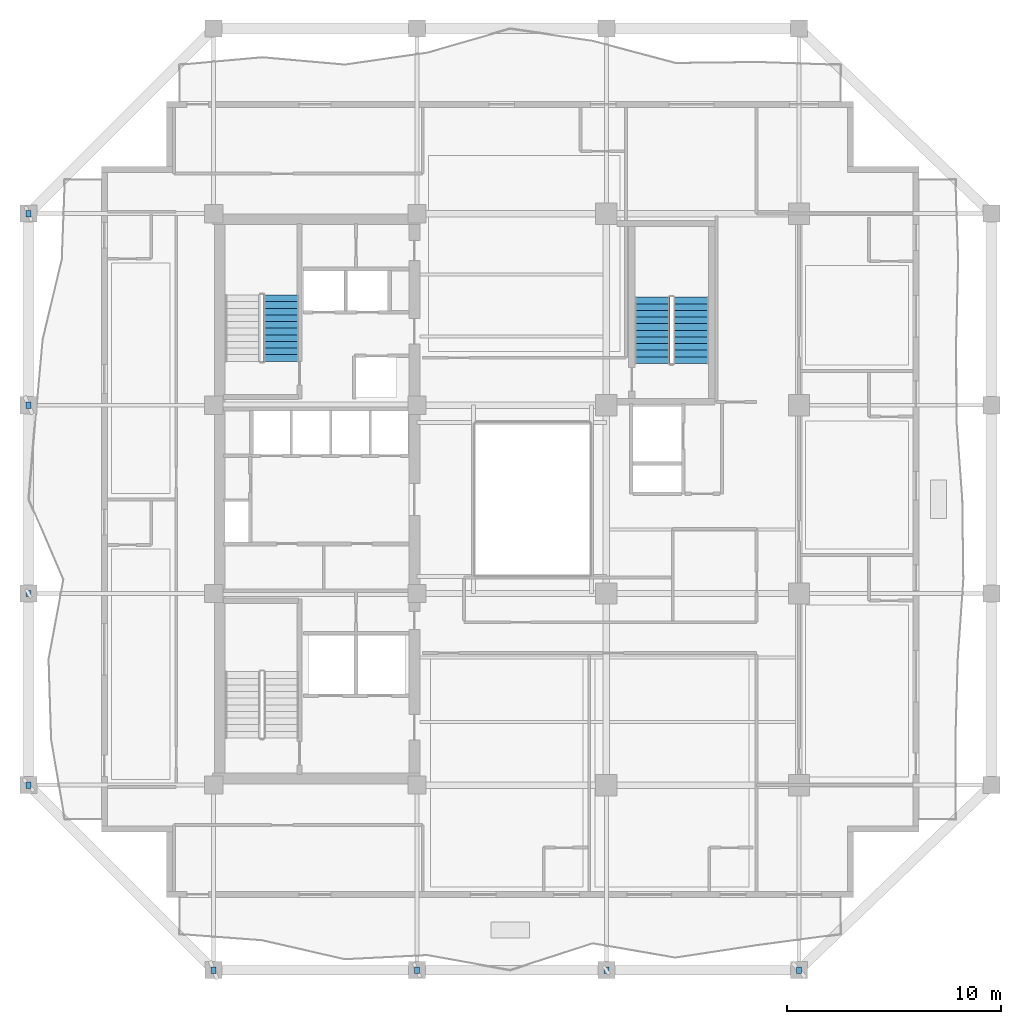
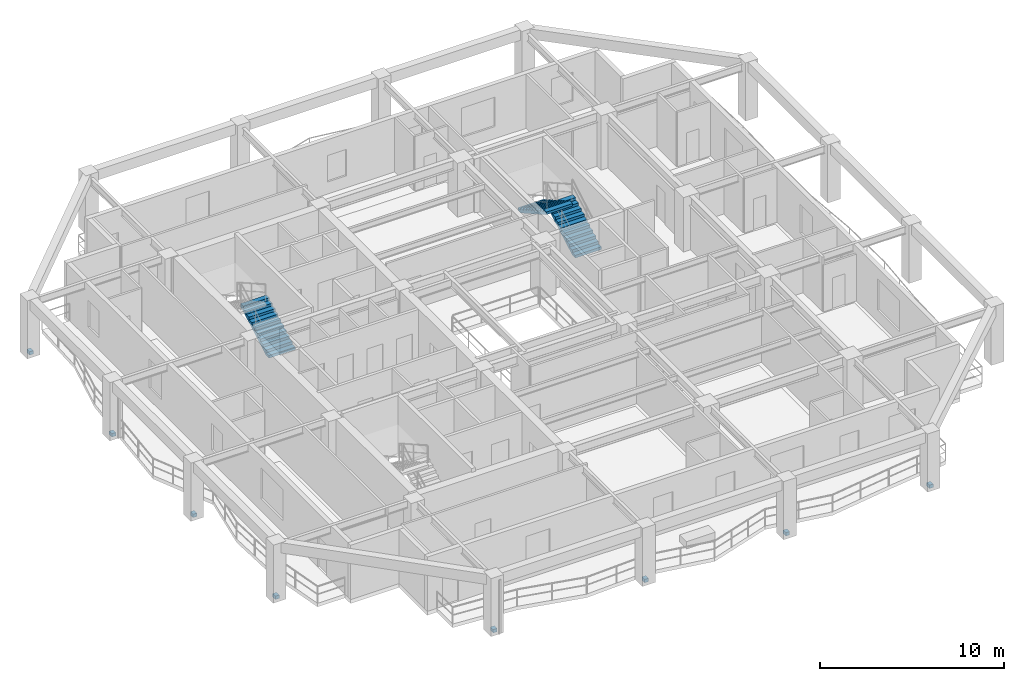
# One storey, part 7 of 11: 8 discrete accessories, 3 stair flights, 2 elements without a shape of their own.
"""IFC4 building model written with IfcOpenShell, lengths in metres."""

from ifc_helpers import new_model, si_unit, direction, frame, origin, origin_2d, place, context, subcontext, project, spatial, polyline, rectangle, outline, extrude, material, type_object, element, aggregate, save


model = new_model("IFC4")

# Units and contexts
model_context = context("Model", 3, precision=1e-05, world=origin(), true_north=direction((0.0, 1.0)))
body_context = subcontext(model_context, "Body", "Model", "MODEL_VIEW")
ifc_project = project(units=[si_unit("LENGTHUNIT", "METRE"), si_unit("AREAUNIT", "SQUARE_METRE"), si_unit("VOLUMEUNIT", "CUBIC_METRE"), si_unit("PLANEANGLEUNIT", "RADIAN"), si_unit("MASSUNIT", "GRAM", prefix="KILO")], contexts=[model_context])

# Site, building, storey
site_placement = place(None, origin())
site = spatial("IfcSite", under=ifc_project, at=site_placement, CompositionType="ELEMENT")
building_placement = place(site_placement, origin())
building = spatial("IfcBuilding", under=site, at=building_placement, Name="Kundavana Baori Tower", CompositionType="ELEMENT")
storey_placement = place(building_placement, frame((0.0, 0.0, 119.39990234375)))
storey = spatial("IfcBuildingStorey", under=building, at=storey_placement, Name="L28", CompositionType="ELEMENT", Elevation=119.39990234375)

# Stair, stair flight
ifc_material_1 = material(Name="Concrete C40/50", Category="concrete")
stair_type = type_object("IfcStairType", Name="STR-DOG-1650", PredefinedType="HALF_TURN_STAIR", material=ifc_material_1)
stair_1_placement = place(storey_placement, origin())
stair_1 = element("IfcStair", 1, at=stair_1_placement, inside=storey, type_object=stair_type, Name="L28 Protected Exit Stair ST2", PredefinedType="HALF_TURN_STAIR")
ifc_material_2 = material(Name="Concrete C40/50", Category="concrete")
stair_flight_type = type_object("IfcStairFlightType", Name="SFL-RC-1650", PredefinedType="STRAIGHT", material=ifc_material_2)
stair_flight_1_placement = place(storey_placement, frame((18.614990234375, 35.050048828125, 0.0), z_axis=(0.0, 0.0, 1.0), x_axis=(0.0, 1.0, 0.0)))
stair_flight_1 = element("IfcStairFlight", 2, at=stair_flight_1_placement, type_object=stair_flight_type, Name="ST2 flight 1", NumberOfRisers=11, NumberOfTreads=10, PredefinedType="STRAIGHT", RiserHeight=0.175, TreadLength=0.31, context=body_context, shape_type="SweptSolid", body=[
    extrude(outline(polyline([(0.0, 0.0), (0.0, 0.175048828125), (0.31005859375, 0.175048828125), (0.31005859375, 0.35009765625), (0.6201171875, 0.35009765625), (0.6201171875, 0.52490234375), (0.929931640625, 0.52490234375), (0.929931640625, 0.699951171875), (1.239990234375, 0.699951171875), (1.239990234375, 0.875), (1.550048828125, 0.875), (1.550048828125, 1.050048828125), (1.860107421875, 1.050048828125), (1.860107421875, 1.22509765625), (2.169921875, 1.22509765625), (2.169921875, 1.39990234375), (2.47998046875, 1.39990234375), (2.47998046875, 1.574951171875), (2.7900390625, 1.574951171875), (2.7900390625, 1.75), (3.10009765625, 1.75), (3.10009765625, 1.925048828125), (3.10009765625, 1.577880859375), (0.304931640625, 0.0), (0.0, 0.0)])), frame((0.0, 0.824951171875, 0.0), z_axis=(0.0, -1.0, 0.0), x_axis=(1.0, 0.0, 0.0)), (0.0, 0.0, 1.0), 1.64990234375),
])
aggregate(stair_1, [stair_flight_1])

# Stair, stair flights
stair_2_placement = place(storey_placement, origin())
stair_2 = element("IfcStair", 3, at=stair_2_placement, inside=storey, type_object=stair_type, Name="L28 Protected Exit Stair ST3", PredefinedType="HALF_TURN_STAIR")
stair_flight_2_placement = place(storey_placement, frame((37.7548828125, 34.949951171875, 0.0), z_axis=(0.0, 0.0, 1.0), x_axis=(0.0, 1.0, 0.0)))
stair_flight_2 = element("IfcStairFlight", 4, at=stair_flight_2_placement, type_object=stair_flight_type, Name="ST3 flight 1", NumberOfRisers=11, NumberOfTreads=10, PredefinedType="STRAIGHT", RiserHeight=0.175, TreadLength=0.31, context=body_context, shape_type="SweptSolid", body=[
    extrude(outline(polyline([(0.0, 0.0), (0.0, 0.175048828125), (0.31005859375, 0.175048828125), (0.31005859375, 0.35009765625), (0.6201171875, 0.35009765625), (0.6201171875, 0.52490234375), (0.929931640625, 0.52490234375), (0.929931640625, 0.699951171875), (1.239990234375, 0.699951171875), (1.239990234375, 0.875), (1.550048828125, 0.875), (1.550048828125, 1.050048828125), (1.860107421875, 1.050048828125), (1.860107421875, 1.22509765625), (2.169921875, 1.22509765625), (2.169921875, 1.39990234375), (2.47998046875, 1.39990234375), (2.47998046875, 1.574951171875), (2.7900390625, 1.574951171875), (2.7900390625, 1.75), (3.10009765625, 1.75), (3.10009765625, 1.925048828125), (3.10009765625, 1.577880859375), (0.304931640625, 0.0), (0.0, 0.0)])), frame((0.0, 0.824951171875, 0.0), z_axis=(0.0, -1.0, 0.0), x_axis=(1.0, 0.0, 0.0)), (0.0, 0.0, 1.0), 1.64990234375),
])
stair_flight_3_placement = place(storey_placement, frame((35.945068359375, 38.050048828125, 1.925048828125), z_axis=(0.0, 0.0, 1.0), x_axis=(0.0, -1.0, 0.0)))
stair_flight_3 = element("IfcStairFlight", 5, at=stair_flight_3_placement, type_object=stair_flight_type, Name="ST3 flight 2", NumberOfRisers=11, NumberOfTreads=10, PredefinedType="STRAIGHT", RiserHeight=0.175, TreadLength=0.31, context=body_context, shape_type="SweptSolid", body=[
    extrude(outline(polyline([(0.0, 0.0), (0.0, 0.175048828125), (0.31005859375, 0.175048828125), (0.31005859375, 0.35009765625), (0.6201171875, 0.35009765625), (0.6201171875, 0.52490234375), (0.929931640625, 0.52490234375), (0.929931640625, 0.699951171875), (1.239990234375, 0.699951171875), (1.239990234375, 0.875), (1.550048828125, 0.875), (1.550048828125, 1.050048828125), (1.860107421875, 1.050048828125), (1.860107421875, 1.22509765625), (2.169921875, 1.22509765625), (2.169921875, 1.39990234375), (2.47998046875, 1.39990234375), (2.47998046875, 1.574951171875), (2.7900390625, 1.574951171875), (2.7900390625, 1.75), (3.10009765625, 1.75), (3.10009765625, 1.925048828125), (3.10009765625, 1.577880859375), (0.304931640625, 0.0), (0.0, 0.0)])), frame((0.0, 0.824951171875, 0.0), z_axis=(0.0, -1.0, 0.0), x_axis=(1.0, 0.0, 0.0)), (0.0, 0.0, 1.0), 1.64990234375),
])
aggregate(stair_2, [stair_flight_2, stair_flight_3])

# Discrete accessories
ifc_material_3 = material(Name="Structural Steel S355JR", Category="steel")
discrete_accessory_type = type_object("IfcDiscreteAccessoryType", Name="ACC-BRK-FIN", PredefinedType="BRACKET", material=ifc_material_3)
for number, where, z_axis, x_axis, name in (
    (6, (15.449951171875, 6.60009765625, 0.0), (0.0, 0.0, 1.0), (1.0, 0.0, 0.0), "L28 Stainless Fin Anchor Bracket 1"),
    (7, (24.949951171875, 6.60009765625, 0.0), (0.0, 0.0, 1.0), (1.0, 0.0, 0.0), "L28 Stainless Fin Anchor Bracket 2"),
    (8, (33.800048828125, 6.60009765625, 0.0), (0.0, 0.0, 1.0), (1.0, 0.0, 0.0), "L28 Stainless Fin Anchor Bracket 3"),
    (9, (42.800048828125, 6.60009765625, 0.0), (0.0, 0.0, 1.0), (1.0, 0.0, 0.0), "L28 Stainless Fin Anchor Bracket 4"),
    (10, (6.800048828125, 15.25, 0.0), (0.0, 0.0, 1.0), (1.0, 0.0, 0.0), "L28 Stainless Fin Anchor Bracket 5"),
    (11, (6.800048828125, 24.199951171875, 0.0), (0.0, 0.0, 1.0), (1.0, 0.0, 0.0), "L28 Stainless Fin Anchor Bracket 6"),
    (12, (6.800048828125, 33.0, 0.0), (0.0, 0.0, 1.0), (1.0, 0.0, 0.0), "L28 Stainless Fin Anchor Bracket 7"),
    (13, (6.800048828125, 41.949951171875, 0.0), (0.0, 0.0, 1.0), (1.0, 0.0, 0.0), "L28 Stainless Fin Anchor Bracket 8"),
):
    element("IfcDiscreteAccessory", number, at=place(storey_placement, frame(where, z_axis=z_axis, x_axis=x_axis)), inside=storey, type_object=discrete_accessory_type, Name=name, PredefinedType="BRACKET", context=body_context, shape_type="SweptSolid", body=[
        extrude(rectangle(XDim=0.239990234375, YDim=0.300048828125, at=origin_2d()), origin(), (0.0, 0.0, 1.0), 0.219970703125),
    ])

save(model, "model.ifc")
